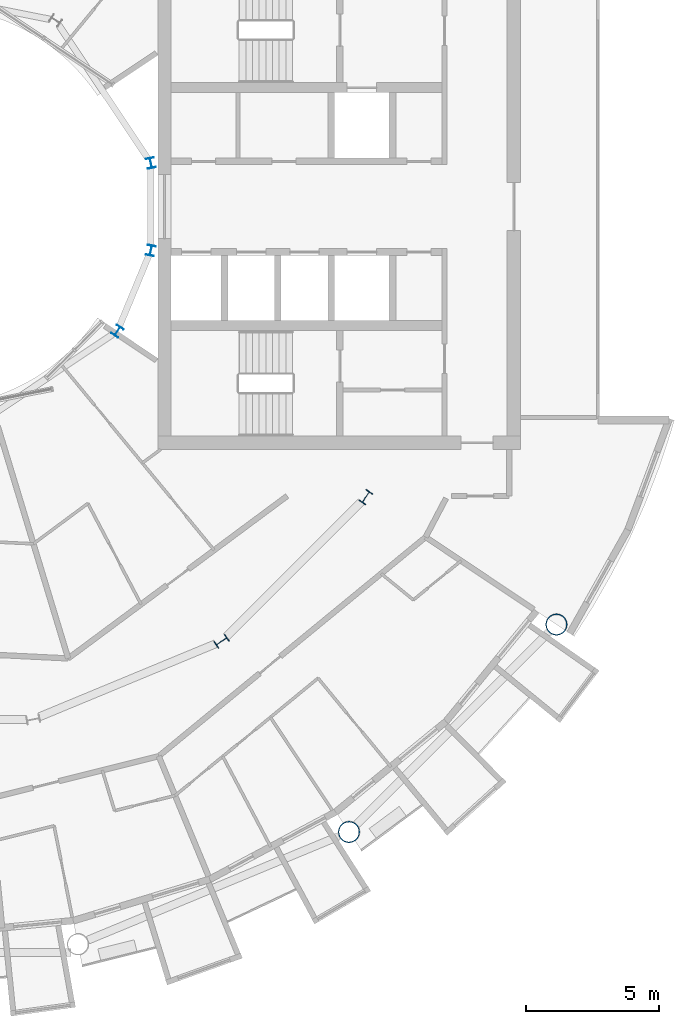
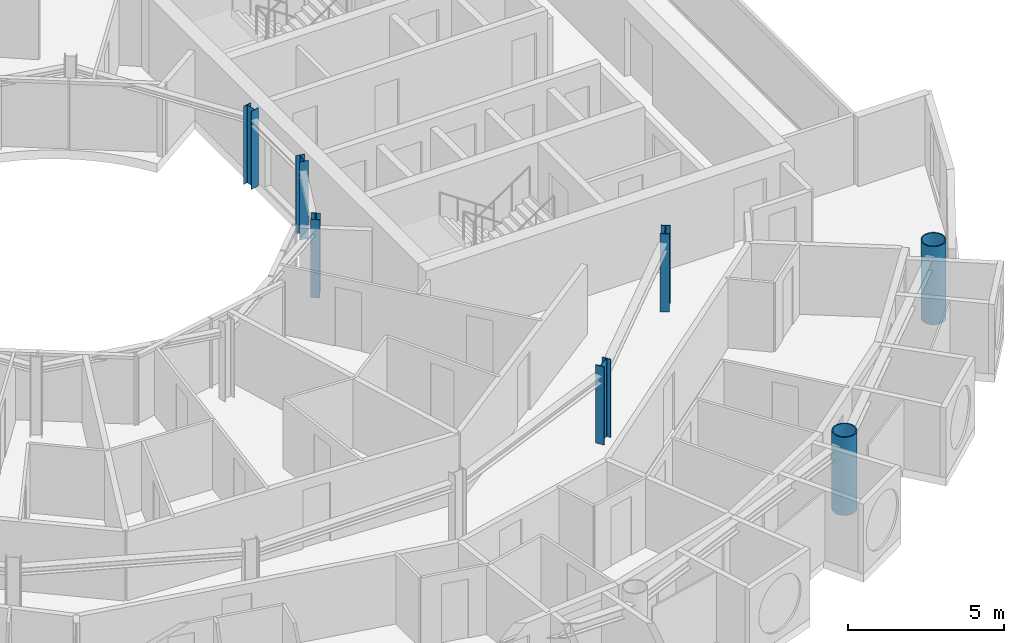
# One storey, part 2 of 26: 7 columns.
"""IFC4 building model written with IfcOpenShell, lengths in metres."""

import ifcopenshell
import ifcopenshell.guid

model = None  # the IFC model being written
_history = None  # IfcOwnerHistory: only IFC2X3 demands one
_inside = {}  # id of a spatial element -> (the spatial element, [elements in it])
_under = {}  # id of a project, library or spatial element -> (it, [spatial elements below it])
_declared = {}  # id of a project -> (the project, [libraries it declares])
_typed = {}  # id of a type object -> (the type object, [elements of that type])
_made_of = {}  # id of a material, layer set ... -> (it, [elements and type objects made of it])


def new_model(schema):
    """Start an empty IFC model of exactly this schema.

    Asked for "IFC4X3", IfcOpenShell would pick the latest addendum, in which some entities
    have other attributes; the version numbers below select the first issue.
    IFC2X3 requires an IfcOwnerHistory on every rooted entity: one is made here for all.
    """
    global model, _history
    if schema == "IFC4X3":
        model = ifcopenshell.file(schema_version=(4, 3, 0, 0))
    else:
        model = ifcopenshell.file(schema=schema)
    _inside.clear()
    _under.clear()
    _declared.clear()
    _typed.clear()
    _made_of.clear()
    _history = None
    if model.schema == "IFC2X3":
        org = make("IfcOrganization", Name="unknown")
        user = make(
            "IfcPersonAndOrganization",
            ThePerson=make("IfcPerson", FamilyName="unknown"),
            TheOrganization=org,
        )
        app = make(
            "IfcApplication",
            ApplicationDeveloper=org,
            Version="unknown",
            ApplicationFullName="unknown",
            ApplicationIdentifier="unknown",
        )
        _history = make(
            "IfcOwnerHistory",
            OwningUser=user,
            OwningApplication=app,
            ChangeAction="ADDED",
            CreationDate=0,
        )
    return model


def make(cls, **values):
    """One entity of the class cls with the attributes given. An attribute that is None is left unset."""
    return model.create_entity(
        cls, **{name: value for name, value in values.items() if value is not None}
    )


def rooted(cls, **values):
    """An entity with a GlobalId (a new one), such as an element, a storey or a relation."""
    return make(cls, GlobalId=ifcopenshell.guid.new(), OwnerHistory=_history, **values)


def si_unit(unit_type, name, prefix=None):
    """IfcSIUnit, for example si_unit("LENGTHUNIT", "METRE", prefix="MILLI")."""
    return make("IfcSIUnit", UnitType=unit_type, Prefix=prefix, Name=name)


def assignment(units):
    """IfcUnitAssignment: the units of a project."""
    return None if units is None else make("IfcUnitAssignment", Units=units)


def point(xyz):
    """IfcCartesianPoint."""
    return None if xyz is None else make("IfcCartesianPoint", Coordinates=xyz)


def direction(xyz):
    """IfcDirection."""
    return None if xyz is None else make("IfcDirection", DirectionRatios=xyz)


def frame(location, z_axis=None, x_axis=None):
    """IfcAxis2Placement3D, a coordinate frame: its origin and axes. An axis left out is left unset."""
    return make(
        "IfcAxis2Placement3D",
        Location=point(location),
        Axis=direction(z_axis),
        RefDirection=direction(x_axis),
    )


def frame_2d(location, x_axis=None):
    """IfcAxis2Placement2D, a coordinate frame in the plane: its origin and x axis."""
    return make(
        "IfcAxis2Placement2D", Location=point(location), RefDirection=direction(x_axis)
    )


def origin():
    """The frame at (0, 0, 0) with its axes left unset."""
    return frame((0.0, 0.0, 0.0))


def origin_2d():
    """The frame at (0, 0) in the plane with its x axis left unset."""
    return frame_2d((0.0, 0.0))


def place(relative_to, where):
    """IfcLocalPlacement: puts the frame where relative to a parent placement (None: the world)."""
    return make(
        "IfcLocalPlacement", PlacementRelTo=relative_to, RelativePlacement=where
    )


def context(
    kind, dimensions, precision=None, world=None, true_north=None, identifier=None
):
    """IfcGeometricRepresentationContext, for example the 3D "Model" context."""
    return make(
        "IfcGeometricRepresentationContext",
        ContextIdentifier=identifier,
        ContextType=kind,
        CoordinateSpaceDimension=dimensions,
        Precision=precision,
        WorldCoordinateSystem=world,
        TrueNorth=true_north,
    )


def subcontext(parent, identifier, kind, view, scale=None):
    """IfcGeometricRepresentationSubContext, for example "Body" below "Model"."""
    return make(
        "IfcGeometricRepresentationSubContext",
        ContextIdentifier=identifier,
        ContextType=kind,
        ParentContext=parent,
        TargetScale=scale,
        TargetView=view,
    )


def project(units=None, contexts=None):
    """IfcProject with its units and contexts."""
    return rooted(
        "IfcProject",
        Name="project",
        RepresentationContexts=contexts,
        UnitsInContext=assignment(units),
    )


def spatial(cls, under=None, at=None, **own):
    """A site, building, storey or space (cls), placed at a placement, below another one or the project."""
    s = rooted(cls, ObjectPlacement=at, **own)
    if under is not None:
        _under.setdefault(under.id(), (under, []))[1].append(s)
    return s


def profile(cls, at=None, kind="AREA", **sizes):
    """A parametric profile (cls). Its sizes go by their IFC names, for example OverallWidth=200.0."""
    return make(cls, ProfileType=kind, Position=at, **sizes)


def hollow_circle(**sizes):
    """IfcCircleHollowProfileDef."""
    return profile("IfcCircleHollowProfileDef", **sizes)


def i_section(**sizes):
    """IfcIShapeProfileDef."""
    return profile("IfcIShapeProfileDef", **sizes)


def extrude(swept, where, along, depth):
    """IfcExtrudedAreaSolid: the profile swept, set in the frame where, extruded along a direction by depth."""
    return make(
        "IfcExtrudedAreaSolid",
        SweptArea=swept,
        Position=where,
        ExtrudedDirection=direction(along),
        Depth=depth,
    )


def shape(context_of_items, identifier, shape_type, items):
    """IfcShapeRepresentation: the items that make up one representation, for example the "Body"."""
    return make(
        "IfcShapeRepresentation",
        ContextOfItems=context_of_items,
        RepresentationIdentifier=identifier,
        RepresentationType=shape_type,
        Items=items,
    )


def material(Name=None, Category=None):
    """IfcMaterial."""
    return make("IfcMaterial", Name=Name, Category=Category)


def material_profile(
    of_material, cross_section, Name=None, Category=None, Priority=None
):
    """IfcMaterialProfile: a cross section and its material."""
    return make(
        "IfcMaterialProfile",
        Name=Name,
        Material=of_material,
        Profile=cross_section,
        Priority=Priority,
        Category=Category,
    )


def profile_set(profiles, Name=None, composite=None):
    """IfcMaterialProfileSet."""
    return make(
        "IfcMaterialProfileSet",
        Name=Name,
        MaterialProfiles=profiles,
        CompositeProfile=composite,
    )


def made_of(thing, what):
    """Note that an element or type object is made of a material, layer set ...; save() writes the relation."""
    if what is not None:
        _made_of.setdefault(what.id(), (what, []))[1].append(thing)
    return thing


def type_object(cls, material=None, **own):
    """A type object (cls), such as IfcWallType, which elements share."""
    return made_of(rooted(cls, **own), material)


def element(
    cls,
    number,
    at=None,
    inside=None,
    cuts=None,
    type_object=None,
    material=None,
    context=None,
    identifier="Body",
    shape_type=None,
    held_by="IfcProductDefinitionShape",
    body=None,
    shapes=None,
    **own,
):
    """One element of the class cls, such as IfcWall. Its Tag is "e" and its number.

    at: its placement. inside: the storey or other place that contains it. cuts: it is an
    opening in that element (IfcRelVoidsElement). A single representation is given by context,
    identifier, shape_type and body (its items); several are given by shapes. held_by: the class
    of the entity that holds the representations. save() writes the other relations.
    """
    e = rooted(cls, Tag="e%d" % number, ObjectPlacement=at, **own)
    if body is not None:
        shapes = [shape(context, identifier, shape_type, body)]
    if shapes is not None:
        e.Representation = make(held_by, Representations=shapes)
    if inside is not None:
        _inside.setdefault(inside.id(), (inside, []))[1].append(e)
    if cuts is not None:
        rooted(
            "IfcRelVoidsElement", RelatingBuildingElement=cuts, RelatedOpeningElement=e
        )
    if type_object is not None:
        _typed.setdefault(type_object.id(), (type_object, []))[1].append(e)
    return made_of(e, material)


def aggregate(whole, parts):
    """IfcRelAggregates: a whole, such as a stair, and the parts it consists of."""
    return rooted("IfcRelAggregates", RelatingObject=whole, RelatedObjects=parts)


def save(model, path):
    """Write the relations noted so far, then the file.

    IfcRelAggregates (storeys below a building ...), IfcRelContainedInSpatialStructure (elements
    in a storey), IfcRelDefinesByType, IfcRelAssociatesMaterial and IfcRelDeclares: one each for
    every whole, place, type object, material and project.
    """
    for whole, parts in _under.values():
        aggregate(whole, parts)
    for where, things in _inside.values():
        rooted(
            "IfcRelContainedInSpatialStructure",
            RelatedElements=things,
            RelatingStructure=where,
        )
    for kind, things in _typed.values():
        rooted("IfcRelDefinesByType", RelatedObjects=things, RelatingType=kind)
    for what, things in _made_of.values():
        rooted("IfcRelAssociatesMaterial", RelatedObjects=things, RelatingMaterial=what)
    for by, libraries in _declared.values():
        rooted("IfcRelDeclares", RelatingContext=by, RelatedDefinitions=libraries)
    model.write(path)


model = new_model("IFC4")

# Units and contexts
model_context = context("Model", 3, precision=1e-05, world=origin(), true_north=direction((0.0, 1.0)))
body_context = subcontext(model_context, "Body", "Model", "MODEL_VIEW")
ifc_project = project(units=[si_unit("LENGTHUNIT", "METRE"), si_unit("AREAUNIT", "SQUARE_METRE"), si_unit("VOLUMEUNIT", "CUBIC_METRE"), si_unit("PLANEANGLEUNIT", "RADIAN"), si_unit("MASSUNIT", "GRAM", prefix="KILO")], contexts=[model_context])

# Site, building, storey
site_placement = place(None, origin())
site = spatial("IfcSite", under=ifc_project, at=site_placement, CompositionType="ELEMENT")
building_placement = place(site_placement, origin())
building = spatial("IfcBuilding", under=site, at=building_placement, Name="Maasbend Ring Residences", CompositionType="ELEMENT")
storey_placement = place(building_placement, frame((0.0, 0.0, 154.35009765625)))
storey = spatial("IfcBuildingStorey", under=building, at=storey_placement, Name="L44", CompositionType="ELEMENT", Elevation=154.35009765625)

# Columns
ifc_material_1 = material(Name="Composite concrete-filled steel tube S460NH / C80/95", Category="concrete")
ifc_material_profile_1 = material_profile(ifc_material_1, hollow_circle(Radius=0.406494140625, WallThickness=0.0400390625, at=origin_2d()), Name="Composite tube column CHS 813x40")
ifc_profile_set_1 = profile_set([ifc_material_profile_1], Name="Composite concrete-filled steel tube S460NH / C80/95")
column_type_1 = type_object("IfcColumnType", Name="Composite tube column CHS 813x40", PredefinedType="COLUMN", material=ifc_profile_set_1)
for number, where, z_axis, x_axis, name in (
    (1, (15.6669921875, -23.447509765625, 0.0), (0.0, 0.0, 1.0), (1.0, 0.0, 0.0), "Outer column R14"),
    (2, (23.447509765625, -15.6669921875, 0.0), (0.0, 0.0, 1.0), (1.0, 0.0, 0.0), "Outer column R15"),
):
    element("IfcColumn", number, at=place(storey_placement, frame(where, z_axis=z_axis, x_axis=x_axis)), inside=storey, type_object=column_type_1, Name=name, PredefinedType="COLUMN", context=body_context, shape_type="SweptSolid", body=[
        extrude(hollow_circle(Radius=0.406494140625, WallThickness=0.0400390625, at=origin_2d()), origin(), (0.0, 0.0, 1.0), 3.0498046875),
    ])
ifc_material_2 = material(Name="Steel S355J2", Category="steel")
ifc_material_profile_2 = material_profile(ifc_material_2, i_section(OverallWidth=0.300048828125, OverallDepth=0.389892578125, WebThickness=0.010986328125, FlangeThickness=0.01904296875, FilletRadius=0.027099609375, at=origin_2d()), Name="HEA 400")
ifc_profile_set_2 = profile_set([ifc_material_profile_2], Name="Steel S355J2")
column_type_2 = type_object("IfcColumnType", Name="Steel column HEA 400", PredefinedType="COLUMN", material=ifc_profile_set_2)
for number, where, z_axis, x_axis, name in (
    (3, (8.238525390625, 1.638916015625, 0.0), (0.0, 0.0, 1.0), (0.980785280403, 0.195090322016, 0.0), "Well ring column R1"),
    (4, (6.984375, -4.666748046875, 0.0), (0.0, 0.0, 1.0), (0.831469612303, -0.55557023302, 0.0), "Well ring column R15"),
    (5, (8.238525390625, -1.638916015625, 0.0), (0.0, 0.0, 1.0), (0.980785280403, -0.195090322016, 0.0), "Well ring column R16"),
):
    element("IfcColumn", number, at=place(storey_placement, frame(where, z_axis=z_axis, x_axis=x_axis)), inside=storey, type_object=column_type_2, Name=name, PredefinedType="COLUMN", context=body_context, shape_type="SweptSolid", body=[
        extrude(i_section(OverallWidth=0.300048828125, OverallDepth=0.389892578125, WebThickness=0.010986328125, FlangeThickness=0.01904296875, FilletRadius=0.027099609375, at=origin_2d()), origin(), (0.0, 0.0, 1.0), 3.0498046875),
    ])
ifc_material_3 = material(Name="Steel S355J2", Category="steel")
ifc_material_profile_3 = material_profile(ifc_material_3, i_section(OverallWidth=0.300048828125, OverallDepth=0.5, WebThickness=0.014404296875, FlangeThickness=0.028076171875, FilletRadius=0.027099609375, at=origin_2d()), Name="HEB 500")
ifc_profile_set_3 = profile_set([ifc_material_profile_3], Name="Steel S355J2")
column_type_3 = type_object("IfcColumnType", Name="Steel column HEB 500", PredefinedType="COLUMN", material=ifc_profile_set_3)
for number, where, z_axis, x_axis, name in (
    (6, (10.88916015625, -16.296875, 0.0), (0.0, 0.0, 1.0), (0.55557023302, -0.831469612303, 0.0), "Corridor ring column R14"),
    (7, (16.296875, -10.88916015625, 0.0), (0.0, 0.0, 1.0), (0.831469612303, -0.55557023302, 0.0), "Corridor ring column R15"),
):
    element("IfcColumn", number, at=place(storey_placement, frame(where, z_axis=z_axis, x_axis=x_axis)), inside=storey, type_object=column_type_3, Name=name, PredefinedType="COLUMN", context=body_context, shape_type="SweptSolid", body=[
        extrude(i_section(OverallWidth=0.300048828125, OverallDepth=0.5, WebThickness=0.014404296875, FlangeThickness=0.028076171875, FilletRadius=0.027099609375, at=origin_2d()), origin(), (0.0, 0.0, 1.0), 3.0498046875),
    ])

save(model, "model.ifc")
